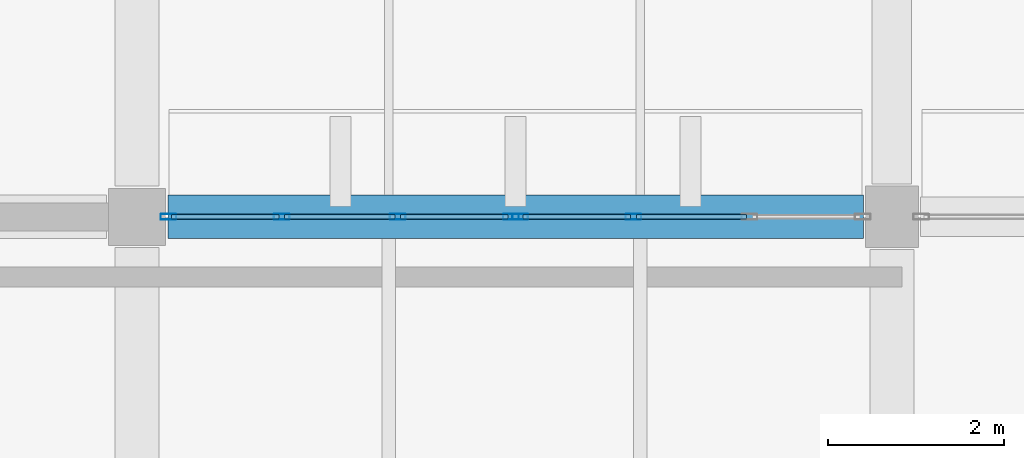
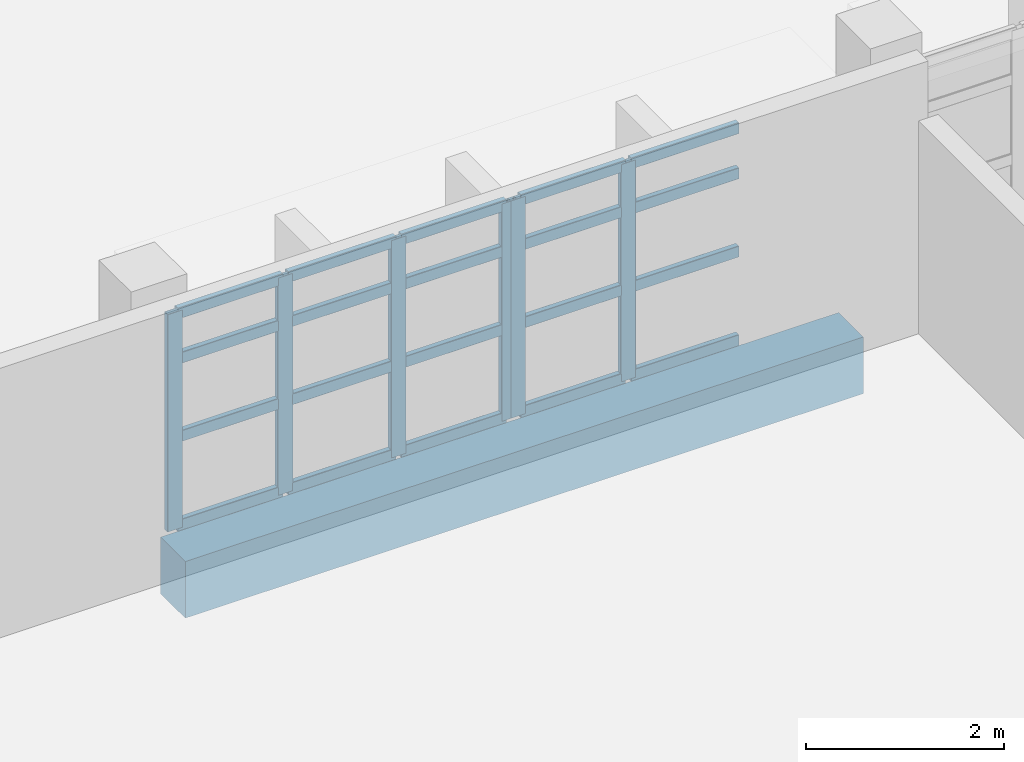
# One storey, part 59 of 93: 26 members, 1 beam, 2 elements without a shape of their own.
"""IFC4 building model written with IfcOpenShell, lengths in metres."""

from ifc_helpers import new_model, si_unit, direction, frame, origin, origin_2d, place, context, subcontext, project, spatial, rectangle, hollow_rectangle, extrude, material, material_profile, profile_set, type_object, element, aggregate, save


model = new_model("IFC4")

# Units and contexts
model_context = context("Model", 3, precision=1e-05, world=origin(), true_north=direction((0.0, 1.0)))
body_context = subcontext(model_context, "Body", "Model", "MODEL_VIEW")
ifc_project = project(units=[si_unit("LENGTHUNIT", "METRE"), si_unit("AREAUNIT", "SQUARE_METRE"), si_unit("VOLUMEUNIT", "CUBIC_METRE"), si_unit("PLANEANGLEUNIT", "RADIAN"), si_unit("MASSUNIT", "GRAM", prefix="KILO")], contexts=[model_context])

# Site, building, storey
site_placement = place(None, origin())
site = spatial("IfcSite", under=ifc_project, at=site_placement, CompositionType="ELEMENT")
building_placement = place(site_placement, origin())
building = spatial("IfcBuilding", under=site, at=building_placement, Name="Varnakota Cinema and Media Centre", CompositionType="ELEMENT")
storey_placement = place(building_placement, frame((0.0, 0.0, 12.0)))
storey = spatial("IfcBuildingStorey", under=building, at=storey_placement, Name="L03", CompositionType="ELEMENT", Elevation=12.0)

# Beam
ifc_material_1 = material(Name="Concrete M35", Category="concrete")
ifc_material_profile_1 = material_profile(ifc_material_1, rectangle(XDim=0.5, YDim=0.699951171875, at=origin_2d()), Name="RCB 500x700")
ifc_profile_set_1 = profile_set([ifc_material_profile_1], Name="Concrete M35")
beam_type = type_object("IfcBeamType", Name="BM-RC-500x700", PredefinedType="BEAM", material=ifc_profile_set_1)
beam_placement = place(storey_placement, frame((8.949951171875, 78.199951171875, -0.610107421875), z_axis=(1.0, 0.0, 0.0), x_axis=(0.0, 1.0, 0.0)))
element("IfcBeam", 1, at=beam_placement, inside=storey, type_object=beam_type, Name="L03 girder B-C/10", PredefinedType="BEAM", context=body_context, shape_type="SweptSolid", body=[
    extrude(rectangle(XDim=0.5, YDim=0.699951171875, at=origin_2d()), origin(), (0.0, 0.0, 1.0), 7.925048828125),
])

# Curtain wall, members
ifc_material_2 = material(Name="Thermally broken anodised aluminium AW-6063", Category="aluminium")
curtain_wall_type = type_object("IfcCurtainWallType", Name="CW-STD-397x268", PredefinedType="USERDEFINED", material=ifc_material_2)
curtain_wall_1_placement = place(storey_placement, origin())
curtain_wall_1 = element("IfcCurtainWall", 2, at=curtain_wall_1_placement, inside=storey, type_object=curtain_wall_type, Name="L03 curtain wall CW-L03-V5-N-02-1", ObjectType="UNITISED CURTAIN WALL", PredefinedType="USERDEFINED")
ifc_material_3 = material(Name="Thermally broken anodised aluminium AW-6063", Category="aluminium")
ifc_material_profile_2 = material_profile(ifc_material_3, hollow_rectangle(XDim=0.06494140625, YDim=0.179931640625, WallThickness=0.00390625, InnerFilletRadius=0.00390625, OuterFilletRadius=0.008056640625, at=origin_2d()), Name="AL-MULLION 180x65x4")
ifc_profile_set_2 = profile_set([ifc_material_profile_2], Name="Thermally broken anodised aluminium AW-6063")
member_type_1 = type_object("IfcMemberType", Name="CWM-AL-180", PredefinedType="MULLION", material=ifc_profile_set_2)
member_1_placement = place(storey_placement, frame((8.95751953125, 78.199951171875, 0.0), z_axis=(0.0, 0.0, 1.0), x_axis=(0.0, 1.0, 0.0)))
member_1 = element("IfcMember", 3, at=member_1_placement, type_object=member_type_1, Name="CW44 mullion 1", PredefinedType="MULLION", context=body_context, shape_type="SweptSolid", body=[
    extrude(hollow_rectangle(XDim=0.06494140625, YDim=0.179931640625, WallThickness=0.00390625, InnerFilletRadius=0.00390625, OuterFilletRadius=0.008056640625, at=origin_2d()), origin(), (0.0, 0.0, 1.0), 2.68505859375),
])
member_2_placement = place(storey_placement, frame((10.24755859375, 78.199951171875, 0.0), z_axis=(0.0, 0.0, 1.0), x_axis=(0.0, 1.0, 0.0)))
member_2 = element("IfcMember", 4, at=member_2_placement, type_object=member_type_1, Name="CW44 mullion 2", PredefinedType="MULLION", context=body_context, shape_type="SweptSolid", body=[
    extrude(hollow_rectangle(XDim=0.06494140625, YDim=0.179931640625, WallThickness=0.00390625, InnerFilletRadius=0.00390625, OuterFilletRadius=0.008056640625, at=origin_2d()), origin(), (0.0, 0.0, 1.0), 2.68505859375),
])
member_3_placement = place(storey_placement, frame((11.570068359375, 78.199951171875, 0.0), z_axis=(0.0, 0.0, 1.0), x_axis=(0.0, 1.0, 0.0)))
member_3 = element("IfcMember", 5, at=member_3_placement, type_object=member_type_1, Name="CW44 mullion 3", PredefinedType="MULLION", context=body_context, shape_type="SweptSolid", body=[
    extrude(hollow_rectangle(XDim=0.06494140625, YDim=0.179931640625, WallThickness=0.00390625, InnerFilletRadius=0.00390625, OuterFilletRadius=0.008056640625, at=origin_2d()), origin(), (0.0, 0.0, 1.0), 2.68505859375),
])
member_4_placement = place(storey_placement, frame((12.860107421875, 78.199951171875, 0.0), z_axis=(0.0, 0.0, 1.0), x_axis=(0.0, 1.0, 0.0)))
member_4 = element("IfcMember", 6, at=member_4_placement, type_object=member_type_1, Name="CW44 mullion 4", PredefinedType="MULLION", context=body_context, shape_type="SweptSolid", body=[
    extrude(hollow_rectangle(XDim=0.06494140625, YDim=0.179931640625, WallThickness=0.00390625, InnerFilletRadius=0.00390625, OuterFilletRadius=0.008056640625, at=origin_2d()), origin(), (0.0, 0.0, 1.0), 2.68505859375),
])

curtain_wall_2_placement = place(storey_placement, origin())
curtain_wall_2 = element("IfcCurtainWall", 7, at=curtain_wall_2_placement, inside=storey, type_object=curtain_wall_type, Name="L03 curtain wall CW-L03-V5-N-02-2", ObjectType="UNITISED CURTAIN WALL", PredefinedType="USERDEFINED")
member_5_placement = place(storey_placement, frame((12.965087890625, 78.199951171875, 0.0), z_axis=(0.0, 0.0, 1.0), x_axis=(0.0, 1.0, 0.0)))
member_5 = element("IfcMember", 8, at=member_5_placement, type_object=member_type_1, Name="CW44 mullion 1", PredefinedType="MULLION", context=body_context, shape_type="SweptSolid", body=[
    extrude(hollow_rectangle(XDim=0.06494140625, YDim=0.179931640625, WallThickness=0.00390625, InnerFilletRadius=0.00390625, OuterFilletRadius=0.008056640625, at=origin_2d()), origin(), (0.0, 0.0, 1.0), 2.68505859375),
])
member_6_placement = place(storey_placement, frame((14.2548828125, 78.199951171875, 0.0), z_axis=(0.0, 0.0, 1.0), x_axis=(0.0, 1.0, 0.0)))
member_6 = element("IfcMember", 9, at=member_6_placement, type_object=member_type_1, Name="CW44 mullion 2", PredefinedType="MULLION", context=body_context, shape_type="SweptSolid", body=[
    extrude(hollow_rectangle(XDim=0.06494140625, YDim=0.179931640625, WallThickness=0.00390625, InnerFilletRadius=0.00390625, OuterFilletRadius=0.008056640625, at=origin_2d()), origin(), (0.0, 0.0, 1.0), 2.68505859375),
])

# Member
ifc_material_4 = material(Name="Thermally broken anodised aluminium AW-6063", Category="aluminium")
ifc_material_profile_3 = material_profile(ifc_material_4, hollow_rectangle(XDim=0.06494140625, YDim=0.139892578125, WallThickness=0.00390625, InnerFilletRadius=0.00390625, OuterFilletRadius=0.008056640625, at=origin_2d()), Name="AL-TRANSOM 140x65x4")
ifc_profile_set_3 = profile_set([ifc_material_profile_3], Name="Thermally broken anodised aluminium AW-6063")
member_type_2 = type_object("IfcMemberType", Name="CWT-AL-140", PredefinedType="USERDEFINED", material=ifc_profile_set_3)
member_7_placement = place(storey_placement, frame((8.989990234375, 78.199951171875, 0.032470703125), z_axis=(1.0, 0.0, 0.0), x_axis=(0.0, 1.0, 0.0)))
member_7 = element("IfcMember", 10, at=member_7_placement, type_object=member_type_2, Name="CW44 transom 1.1", ObjectType="TRANSOM", PredefinedType="USERDEFINED", context=body_context, shape_type="SweptSolid", body=[
    extrude(hollow_rectangle(XDim=0.06494140625, YDim=0.139892578125, WallThickness=0.00390625, InnerFilletRadius=0.00390625, OuterFilletRadius=0.008056640625, at=origin_2d()), origin(), (0.0, 0.0, 1.0), 1.22509765625),
])

member_8_placement = place(storey_placement, frame((8.989990234375, 78.199951171875, 1.127685546875), z_axis=(1.0, 0.0, 0.0), x_axis=(0.0, 1.0, 0.0)))
member_8 = element("IfcMember", 11, at=member_8_placement, type_object=member_type_2, Name="CW44 transom 1.2", ObjectType="TRANSOM", PredefinedType="USERDEFINED", context=body_context, shape_type="SweptSolid", body=[
    extrude(hollow_rectangle(XDim=0.06494140625, YDim=0.139892578125, WallThickness=0.00390625, InnerFilletRadius=0.00390625, OuterFilletRadius=0.008056640625, at=origin_2d()), origin(), (0.0, 0.0, 1.0), 1.22509765625),
])

member_9_placement = place(storey_placement, frame((8.989990234375, 78.199951171875, 2.09423828125), z_axis=(1.0, 0.0, 0.0), x_axis=(0.0, 1.0, 0.0)))
member_9 = element("IfcMember", 12, at=member_9_placement, type_object=member_type_2, Name="CW44 transom 1.3", ObjectType="TRANSOM", PredefinedType="USERDEFINED", context=body_context, shape_type="SweptSolid", body=[
    extrude(hollow_rectangle(XDim=0.06494140625, YDim=0.139892578125, WallThickness=0.00390625, InnerFilletRadius=0.00390625, OuterFilletRadius=0.008056640625, at=origin_2d()), origin(), (0.0, 0.0, 1.0), 1.22509765625),
])

member_10_placement = place(storey_placement, frame((8.989990234375, 78.199951171875, 2.652587890625), z_axis=(1.0, 0.0, 0.0), x_axis=(0.0, 1.0, 0.0)))
member_10 = element("IfcMember", 13, at=member_10_placement, type_object=member_type_2, Name="CW44 transom 1.4", ObjectType="TRANSOM", PredefinedType="USERDEFINED", context=body_context, shape_type="SweptSolid", body=[
    extrude(hollow_rectangle(XDim=0.06494140625, YDim=0.139892578125, WallThickness=0.00390625, InnerFilletRadius=0.00390625, OuterFilletRadius=0.008056640625, at=origin_2d()), origin(), (0.0, 0.0, 1.0), 1.22509765625),
])

member_11_placement = place(storey_placement, frame((10.280029296875, 78.199951171875, 0.032470703125), z_axis=(1.0, 0.0, 0.0), x_axis=(0.0, 1.0, 0.0)))
member_11 = element("IfcMember", 14, at=member_11_placement, type_object=member_type_2, Name="CW44 transom 2.1", ObjectType="TRANSOM", PredefinedType="USERDEFINED", context=body_context, shape_type="SweptSolid", body=[
    extrude(hollow_rectangle(XDim=0.06494140625, YDim=0.139892578125, WallThickness=0.00390625, InnerFilletRadius=0.00390625, OuterFilletRadius=0.008056640625, at=origin_2d()), origin(), (0.0, 0.0, 1.0), 1.257568359375),
])

member_12_placement = place(storey_placement, frame((10.280029296875, 78.199951171875, 1.127685546875), z_axis=(1.0, 0.0, 0.0), x_axis=(0.0, 1.0, 0.0)))
member_12 = element("IfcMember", 15, at=member_12_placement, type_object=member_type_2, Name="CW44 transom 2.2", ObjectType="TRANSOM", PredefinedType="USERDEFINED", context=body_context, shape_type="SweptSolid", body=[
    extrude(hollow_rectangle(XDim=0.06494140625, YDim=0.139892578125, WallThickness=0.00390625, InnerFilletRadius=0.00390625, OuterFilletRadius=0.008056640625, at=origin_2d()), origin(), (0.0, 0.0, 1.0), 1.257568359375),
])

member_13_placement = place(storey_placement, frame((10.280029296875, 78.199951171875, 2.09423828125), z_axis=(1.0, 0.0, 0.0), x_axis=(0.0, 1.0, 0.0)))
member_13 = element("IfcMember", 16, at=member_13_placement, type_object=member_type_2, Name="CW44 transom 2.3", ObjectType="TRANSOM", PredefinedType="USERDEFINED", context=body_context, shape_type="SweptSolid", body=[
    extrude(hollow_rectangle(XDim=0.06494140625, YDim=0.139892578125, WallThickness=0.00390625, InnerFilletRadius=0.00390625, OuterFilletRadius=0.008056640625, at=origin_2d()), origin(), (0.0, 0.0, 1.0), 1.257568359375),
])

member_14_placement = place(storey_placement, frame((10.280029296875, 78.199951171875, 2.652587890625), z_axis=(1.0, 0.0, 0.0), x_axis=(0.0, 1.0, 0.0)))
member_14 = element("IfcMember", 17, at=member_14_placement, type_object=member_type_2, Name="CW44 transom 2.4", ObjectType="TRANSOM", PredefinedType="USERDEFINED", context=body_context, shape_type="SweptSolid", body=[
    extrude(hollow_rectangle(XDim=0.06494140625, YDim=0.139892578125, WallThickness=0.00390625, InnerFilletRadius=0.00390625, OuterFilletRadius=0.008056640625, at=origin_2d()), origin(), (0.0, 0.0, 1.0), 1.257568359375),
])

member_15_placement = place(storey_placement, frame((11.6025390625, 78.199951171875, 0.032470703125), z_axis=(1.0, 0.0, 0.0), x_axis=(0.0, 1.0, 0.0)))
member_15 = element("IfcMember", 18, at=member_15_placement, type_object=member_type_2, Name="CW44 transom 3.1", ObjectType="TRANSOM", PredefinedType="USERDEFINED", context=body_context, shape_type="SweptSolid", body=[
    extrude(hollow_rectangle(XDim=0.06494140625, YDim=0.139892578125, WallThickness=0.00390625, InnerFilletRadius=0.00390625, OuterFilletRadius=0.008056640625, at=origin_2d()), origin(), (0.0, 0.0, 1.0), 1.224853515625),
])

member_16_placement = place(storey_placement, frame((11.6025390625, 78.199951171875, 1.127685546875), z_axis=(1.0, 0.0, 0.0), x_axis=(0.0, 1.0, 0.0)))
member_16 = element("IfcMember", 19, at=member_16_placement, type_object=member_type_2, Name="CW44 transom 3.2", ObjectType="TRANSOM", PredefinedType="USERDEFINED", context=body_context, shape_type="SweptSolid", body=[
    extrude(hollow_rectangle(XDim=0.06494140625, YDim=0.139892578125, WallThickness=0.00390625, InnerFilletRadius=0.00390625, OuterFilletRadius=0.008056640625, at=origin_2d()), origin(), (0.0, 0.0, 1.0), 1.224853515625),
])

member_17_placement = place(storey_placement, frame((11.6025390625, 78.199951171875, 2.09423828125), z_axis=(1.0, 0.0, 0.0), x_axis=(0.0, 1.0, 0.0)))
member_17 = element("IfcMember", 20, at=member_17_placement, type_object=member_type_2, Name="CW44 transom 3.3", ObjectType="TRANSOM", PredefinedType="USERDEFINED", context=body_context, shape_type="SweptSolid", body=[
    extrude(hollow_rectangle(XDim=0.06494140625, YDim=0.139892578125, WallThickness=0.00390625, InnerFilletRadius=0.00390625, OuterFilletRadius=0.008056640625, at=origin_2d()), origin(), (0.0, 0.0, 1.0), 1.224853515625),
])

member_18_placement = place(storey_placement, frame((11.6025390625, 78.199951171875, 2.652587890625), z_axis=(1.0, 0.0, 0.0), x_axis=(0.0, 1.0, 0.0)))
member_18 = element("IfcMember", 21, at=member_18_placement, type_object=member_type_2, Name="CW44 transom 3.4", ObjectType="TRANSOM", PredefinedType="USERDEFINED", context=body_context, shape_type="SweptSolid", body=[
    extrude(hollow_rectangle(XDim=0.06494140625, YDim=0.139892578125, WallThickness=0.00390625, InnerFilletRadius=0.00390625, OuterFilletRadius=0.008056640625, at=origin_2d()), origin(), (0.0, 0.0, 1.0), 1.224853515625),
])

aggregate(curtain_wall_1, [member_1, member_2, member_3, member_4, member_7, member_8, member_9, member_10, member_11, member_12, member_13, member_14, member_15, member_16, member_17, member_18])

member_19_placement = place(storey_placement, frame((12.99755859375, 78.199951171875, 0.032470703125), z_axis=(1.0, 0.0, 0.0), x_axis=(0.0, 1.0, 0.0)))
member_19 = element("IfcMember", 22, at=member_19_placement, type_object=member_type_2, Name="CW44 transom 1.1", ObjectType="TRANSOM", PredefinedType="USERDEFINED", context=body_context, shape_type="SweptSolid", body=[
    extrude(hollow_rectangle(XDim=0.06494140625, YDim=0.139892578125, WallThickness=0.00390625, InnerFilletRadius=0.00390625, OuterFilletRadius=0.008056640625, at=origin_2d()), origin(), (0.0, 0.0, 1.0), 1.224853515625),
])

member_20_placement = place(storey_placement, frame((12.99755859375, 78.199951171875, 1.127685546875), z_axis=(1.0, 0.0, 0.0), x_axis=(0.0, 1.0, 0.0)))
member_20 = element("IfcMember", 23, at=member_20_placement, type_object=member_type_2, Name="CW44 transom 1.2", ObjectType="TRANSOM", PredefinedType="USERDEFINED", context=body_context, shape_type="SweptSolid", body=[
    extrude(hollow_rectangle(XDim=0.06494140625, YDim=0.139892578125, WallThickness=0.00390625, InnerFilletRadius=0.00390625, OuterFilletRadius=0.008056640625, at=origin_2d()), origin(), (0.0, 0.0, 1.0), 1.224853515625),
])

member_21_placement = place(storey_placement, frame((12.99755859375, 78.199951171875, 2.09423828125), z_axis=(1.0, 0.0, 0.0), x_axis=(0.0, 1.0, 0.0)))
member_21 = element("IfcMember", 24, at=member_21_placement, type_object=member_type_2, Name="CW44 transom 1.3", ObjectType="TRANSOM", PredefinedType="USERDEFINED", context=body_context, shape_type="SweptSolid", body=[
    extrude(hollow_rectangle(XDim=0.06494140625, YDim=0.139892578125, WallThickness=0.00390625, InnerFilletRadius=0.00390625, OuterFilletRadius=0.008056640625, at=origin_2d()), origin(), (0.0, 0.0, 1.0), 1.224853515625),
])

member_22_placement = place(storey_placement, frame((12.99755859375, 78.199951171875, 2.652587890625), z_axis=(1.0, 0.0, 0.0), x_axis=(0.0, 1.0, 0.0)))
member_22 = element("IfcMember", 25, at=member_22_placement, type_object=member_type_2, Name="CW44 transom 1.4", ObjectType="TRANSOM", PredefinedType="USERDEFINED", context=body_context, shape_type="SweptSolid", body=[
    extrude(hollow_rectangle(XDim=0.06494140625, YDim=0.139892578125, WallThickness=0.00390625, InnerFilletRadius=0.00390625, OuterFilletRadius=0.008056640625, at=origin_2d()), origin(), (0.0, 0.0, 1.0), 1.224853515625),
])

member_23_placement = place(storey_placement, frame((14.28759765625, 78.199951171875, 0.032470703125), z_axis=(1.0, 0.0, 0.0), x_axis=(0.0, 1.0, 0.0)))
member_23 = element("IfcMember", 26, at=member_23_placement, type_object=member_type_2, Name="CW44 transom 2.1", ObjectType="TRANSOM", PredefinedType="USERDEFINED", context=body_context, shape_type="SweptSolid", body=[
    extrude(hollow_rectangle(XDim=0.06494140625, YDim=0.139892578125, WallThickness=0.00390625, InnerFilletRadius=0.00390625, OuterFilletRadius=0.008056640625, at=origin_2d()), origin(), (0.0, 0.0, 1.0), 1.25732421875),
])

member_24_placement = place(storey_placement, frame((14.28759765625, 78.199951171875, 1.127685546875), z_axis=(1.0, 0.0, 0.0), x_axis=(0.0, 1.0, 0.0)))
member_24 = element("IfcMember", 27, at=member_24_placement, type_object=member_type_2, Name="CW44 transom 2.2", ObjectType="TRANSOM", PredefinedType="USERDEFINED", context=body_context, shape_type="SweptSolid", body=[
    extrude(hollow_rectangle(XDim=0.06494140625, YDim=0.139892578125, WallThickness=0.00390625, InnerFilletRadius=0.00390625, OuterFilletRadius=0.008056640625, at=origin_2d()), origin(), (0.0, 0.0, 1.0), 1.25732421875),
])

member_25_placement = place(storey_placement, frame((14.28759765625, 78.199951171875, 2.09423828125), z_axis=(1.0, 0.0, 0.0), x_axis=(0.0, 1.0, 0.0)))
member_25 = element("IfcMember", 28, at=member_25_placement, type_object=member_type_2, Name="CW44 transom 2.3", ObjectType="TRANSOM", PredefinedType="USERDEFINED", context=body_context, shape_type="SweptSolid", body=[
    extrude(hollow_rectangle(XDim=0.06494140625, YDim=0.139892578125, WallThickness=0.00390625, InnerFilletRadius=0.00390625, OuterFilletRadius=0.008056640625, at=origin_2d()), origin(), (0.0, 0.0, 1.0), 1.25732421875),
])

member_26_placement = place(storey_placement, frame((14.28759765625, 78.199951171875, 2.652587890625), z_axis=(1.0, 0.0, 0.0), x_axis=(0.0, 1.0, 0.0)))
member_26 = element("IfcMember", 29, at=member_26_placement, type_object=member_type_2, Name="CW44 transom 2.4", ObjectType="TRANSOM", PredefinedType="USERDEFINED", context=body_context, shape_type="SweptSolid", body=[
    extrude(hollow_rectangle(XDim=0.06494140625, YDim=0.139892578125, WallThickness=0.00390625, InnerFilletRadius=0.00390625, OuterFilletRadius=0.008056640625, at=origin_2d()), origin(), (0.0, 0.0, 1.0), 1.25732421875),
])

aggregate(curtain_wall_2, [member_5, member_6, member_19, member_20, member_21, member_22, member_23, member_24, member_25, member_26])

save(model, "model.ifc")
